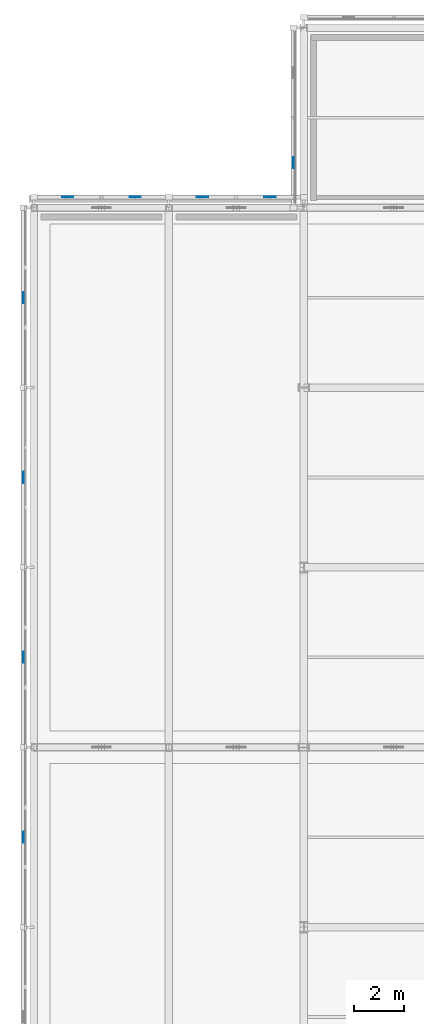
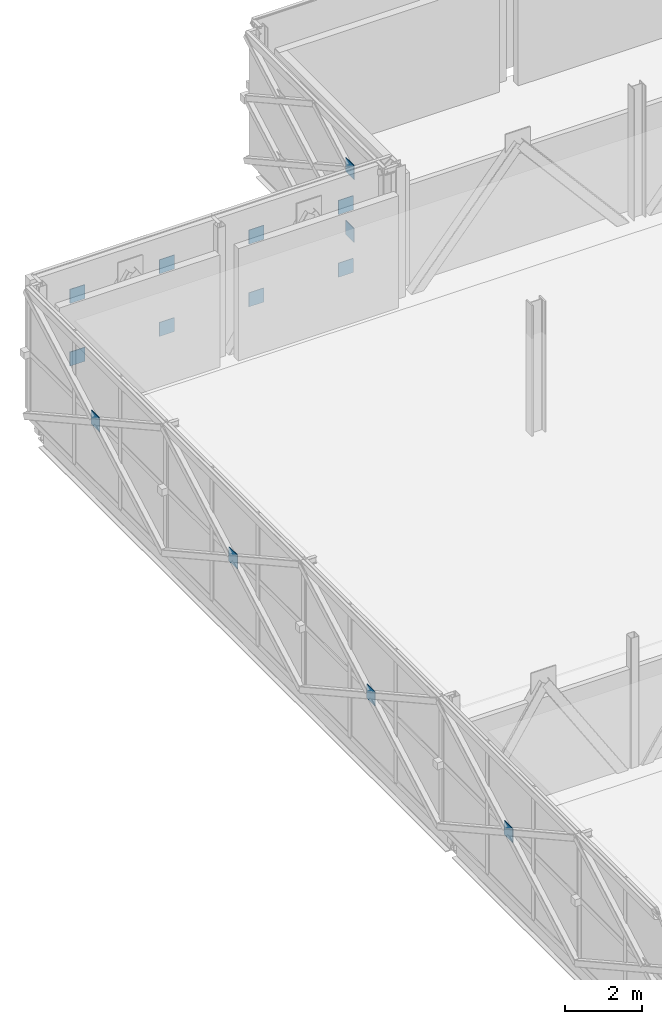
# One storey, part 78 of 103: 14 plates.
"""IFC4 building model written with IfcOpenShell, lengths in metres."""

from ifc_helpers import new_model, si_unit, direction, frame, origin, origin_2d, place, context, subcontext, project, spatial, rectangle, extrude, material, layer, layer_set, type_object, element, save


model = new_model("IFC4")

# Units and contexts
model_context = context("Model", 3, precision=1e-05, world=origin(), true_north=direction((0.0, 1.0)))
body_context = subcontext(model_context, "Body", "Model", "MODEL_VIEW")
ifc_project = project(units=[si_unit("LENGTHUNIT", "METRE"), si_unit("AREAUNIT", "SQUARE_METRE"), si_unit("VOLUMEUNIT", "CUBIC_METRE"), si_unit("PLANEANGLEUNIT", "RADIAN"), si_unit("MASSUNIT", "GRAM", prefix="KILO")], contexts=[model_context])

# Site, building, storey
site_placement = place(None, origin())
site = spatial("IfcSite", under=ifc_project, at=site_placement, CompositionType="ELEMENT")
building_placement = place(site_placement, origin())
building = spatial("IfcBuilding", under=site, at=building_placement, Name="Zlatovets Crest Museum", CompositionType="ELEMENT")
storey_placement = place(building_placement, frame((0.0, 0.0, 12.89990234375)))
storey = spatial("IfcBuildingStorey", under=building, at=storey_placement, Name="L03", CompositionType="ELEMENT", Elevation=12.89990234375)

# Plates
ifc_material = material(Name="Structural steel S355J2", Category="steel")
ifc_layer = layer(ifc_material, 0.02001953125)
ifc_layer_set = layer_set([ifc_layer], Name="Structural steel S355J2")
plate_type = type_object("IfcPlateType", Name="Gusset_GP-04", PredefinedType="USERDEFINED", material=ifc_layer_set)
for number, where, z_axis, x_axis, name in (
    (1, (6.780029296875, 95.39990234375, 0.875), (0.0, 0.0, 1.0), (1.0, 0.0, 0.0), "X-Brace Crossing Node Gusset Plate GP-04"),
    (2, (6.780029296875, 95.39990234375, 2.875), (0.0, 0.0, 1.0), (1.0, 0.0, 0.0), "X-Brace Crossing Node Gusset Plate GP-04"),
):
    element("IfcPlate", number, at=place(storey_placement, frame(where, z_axis=z_axis, x_axis=x_axis)), inside=storey, type_object=plate_type, Name=name, ObjectType="GUSSET", PredefinedType="USERDEFINED", context=body_context, shape_type="SweptSolid", body=[
        extrude(rectangle(XDim=0.02001953125, YDim=0.449951171875, at=origin_2d()), origin(), (0.0, 0.0, 1.0), 0.449951171875),
    ])
for number, where, z_axis, x_axis, name in (
    (3, (5.85009765625, 94.02001953125, 0.875), (0.0, 0.0, 1.0), (1.0, 0.0, 0.0), "X-Brace Crossing Node Gusset Plate GP-04"),
    (4, (3.14990234375, 94.02001953125, 0.875), (0.0, 0.0, 1.0), (1.0, 0.0, 0.0), "X-Brace Crossing Node Gusset Plate GP-04"),
    (5, (5.85009765625, 94.02001953125, 2.875), (0.0, 0.0, 1.0), (1.0, 0.0, 0.0), "X-Brace Crossing Node Gusset Plate GP-04"),
    (6, (3.14990234375, 94.02001953125, 2.875), (0.0, 0.0, 1.0), (1.0, 0.0, 0.0), "X-Brace Crossing Node Gusset Plate GP-04"),
    (7, (0.449951171875, 94.02001953125, 0.875), (0.0, 0.0, 1.0), (1.0, 0.0, 0.0), "X-Brace Crossing Node Gusset Plate GP-04"),
    (8, (-2.25, 94.02001953125, 0.875), (0.0, 0.0, 1.0), (1.0, 0.0, 0.0), "X-Brace Crossing Node Gusset Plate GP-04"),
    (9, (0.449951171875, 94.02001953125, 2.875), (0.0, 0.0, 1.0), (1.0, 0.0, 0.0), "X-Brace Crossing Node Gusset Plate GP-04"),
    (10, (-2.25, 94.02001953125, 2.875), (0.0, 0.0, 1.0), (1.0, 0.0, 0.0), "X-Brace Crossing Node Gusset Plate GP-04"),
):
    element("IfcPlate", number, at=place(storey_placement, frame(where, z_axis=z_axis, x_axis=x_axis)), inside=storey, type_object=plate_type, Name=name, ObjectType="GUSSET", PredefinedType="USERDEFINED", context=body_context, shape_type="SweptSolid", body=[
        extrude(rectangle(XDim=0.449951171875, YDim=0.02001953125, at=origin_2d()), origin(), (0.0, 0.0, 1.0), 0.449951171875),
    ])
for number, where, z_axis, x_axis, name in (
    (11, (-4.02001953125, 90.0, 1.875), (0.0, 0.0, 1.0), (1.0, 0.0, 0.0), "X-Brace Crossing Node Gusset Plate GP-04"),
    (12, (-4.02001953125, 82.800048828125, 1.875), (0.0, 0.0, 1.0), (1.0, 0.0, 0.0), "X-Brace Crossing Node Gusset Plate GP-04"),
    (13, (-4.02001953125, 75.60009765625, 1.875), (0.0, 0.0, 1.0), (1.0, 0.0, 0.0), "X-Brace Crossing Node Gusset Plate GP-04"),
    (14, (-4.02001953125, 68.39990234375, 1.875), (0.0, 0.0, 1.0), (1.0, 0.0, 0.0), "X-Brace Crossing Node Gusset Plate GP-04"),
):
    element("IfcPlate", number, at=place(storey_placement, frame(where, z_axis=z_axis, x_axis=x_axis)), inside=storey, type_object=plate_type, Name=name, ObjectType="GUSSET", PredefinedType="USERDEFINED", context=body_context, shape_type="SweptSolid", body=[
        extrude(rectangle(XDim=0.02001953125, YDim=0.449951171875, at=origin_2d()), origin(), (0.0, 0.0, 1.0), 0.449951171875),
    ])

save(model, "model.ifc")
